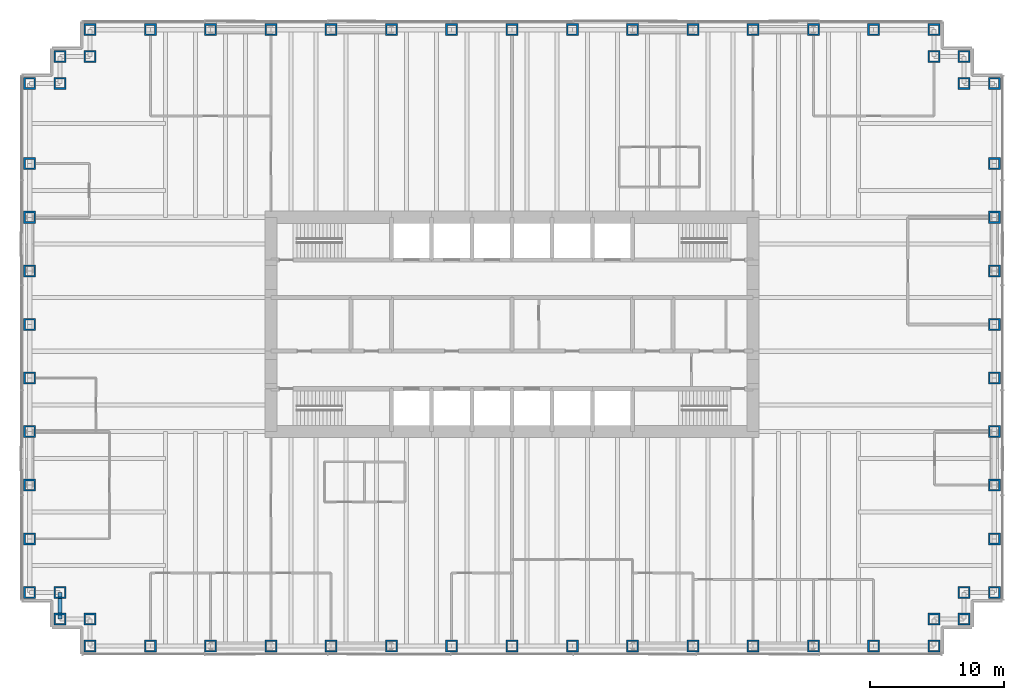
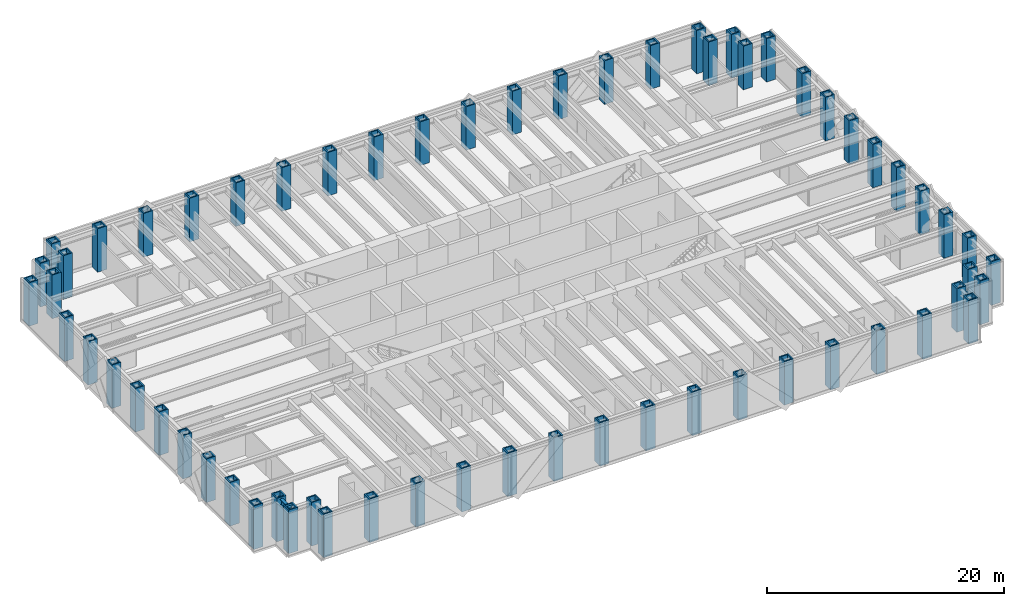
# One storey, part 1 of 13: 62 columns, 1 beam.
"""IFC4 building model written with IfcOpenShell, lengths in metres."""

from ifc_helpers import new_model, si_unit, direction, frame, origin, origin_2d, place, context, subcontext, project, spatial, hollow_rectangle, i_section, extrude, material, material_profile, profile_set, type_object, element, save


model = new_model("IFC4")

# Units and contexts
model_context = context("Model", 3, precision=1e-05, world=origin(), true_north=direction((0.0, 1.0)))
body_context = subcontext(model_context, "Body", "Model", "MODEL_VIEW")
ifc_project = project(units=[si_unit("LENGTHUNIT", "METRE"), si_unit("AREAUNIT", "SQUARE_METRE"), si_unit("VOLUMEUNIT", "CUBIC_METRE"), si_unit("PLANEANGLEUNIT", "RADIAN"), si_unit("MASSUNIT", "GRAM", prefix="KILO")], contexts=[model_context])

# Site, building, storey
site_placement = place(None, origin())
site = spatial("IfcSite", under=ifc_project, at=site_placement, CompositionType="ELEMENT")
building_placement = place(site_placement, origin())
building = spatial("IfcBuilding", under=site, at=building_placement, Name="Rheinbord Bourse Tower", CompositionType="ELEMENT")
storey_placement = place(building_placement, frame((0.0, 0.0, 50.0)))
storey = spatial("IfcBuildingStorey", under=building, at=storey_placement, Name="L10", CompositionType="ELEMENT", Elevation=50.0)

# Columns
ifc_material_1 = material(Name="Steel S460M", Category="steel")
ifc_material_profile_1 = material_profile(ifc_material_1, hollow_rectangle(XDim=0.89990234375, YDim=0.89990234375, WallThickness=0.1201171875, at=origin_2d()), Name="BOX 900x900x120")
ifc_profile_set_1 = profile_set([ifc_material_profile_1], Name="Steel S460M")
column_type = type_object("IfcColumnType", Name="TUBE COLUMN BOX 900x900x120", PredefinedType="COLUMN", material=ifc_profile_set_1)
for number, where, z_axis, x_axis, name in (
    (1, (4.5, 0.0, 0.0), (0.0, 0.0, 1.0), (0.0, 1.0, 0.0), "Column SW-E L10"),
    (2, (9.0, 0.0, 0.0), (0.0, 0.0, 1.0), (0.0, 1.0, 0.0), "Column S-9 L10"),
    (3, (13.5, 0.0, 0.0), (0.0, 0.0, 1.0), (0.0, 1.0, 0.0), "Column S-13.5 L10"),
    (4, (18.0, 0.0, 0.0), (0.0, 0.0, 1.0), (0.0, 1.0, 0.0), "Column S-18 L10"),
    (5, (22.5, 0.0, 0.0), (0.0, 0.0, 1.0), (0.0, 1.0, 0.0), "Column S-22.5 L10"),
    (6, (27.0, 0.0, 0.0), (0.0, 0.0, 1.0), (0.0, 1.0, 0.0), "Column S-27 L10"),
    (7, (31.5, 0.0, 0.0), (0.0, 0.0, 1.0), (0.0, 1.0, 0.0), "Column S-31.5 L10"),
    (8, (36.0, 0.0, 0.0), (0.0, 0.0, 1.0), (0.0, 1.0, 0.0), "Column S-36 L10"),
    (9, (40.5, 0.0, 0.0), (0.0, 0.0, 1.0), (0.0, 1.0, 0.0), "Column S-40.5 L10"),
    (10, (45.0, 0.0, 0.0), (0.0, 0.0, 1.0), (0.0, 1.0, 0.0), "Column S-45 L10"),
    (11, (49.5, 0.0, 0.0), (0.0, 0.0, 1.0), (0.0, 1.0, 0.0), "Column S-49.5 L10"),
    (12, (54.0, 0.0, 0.0), (0.0, 0.0, 1.0), (0.0, 1.0, 0.0), "Column S-54 L10"),
    (13, (58.5, 0.0, 0.0), (0.0, 0.0, 1.0), (0.0, 1.0, 0.0), "Column S-58.5 L10"),
    (14, (63.0, 0.0, 0.0), (0.0, 0.0, 1.0), (0.0, 1.0, 0.0), "Column S-63 L10"),
    (15, (67.5, 0.0, 0.0), (0.0, 0.0, 1.0), (0.0, 1.0, 0.0), "Column SE-E L10"),
    (16, (67.5, 2.0, 0.0), (0.0, 0.0, 1.0), (0.0, 1.0, 0.0), "Column SE-D L10"),
    (17, (69.75, 2.0, 0.0), (0.0, 0.0, 1.0), (1.0, 0.0, 0.0), "Column SE-C L10"),
    (18, (69.75, 4.0, 0.0), (0.0, 0.0, 1.0), (1.0, 0.0, 0.0), "Column SE-B L10"),
    (19, (72.0, 4.0, 0.0), (0.0, 0.0, 1.0), (1.0, 0.0, 0.0), "Column SE-A L10"),
    (20, (72.0, 8.0, 0.0), (0.0, 0.0, 1.0), (1.0, 0.0, 0.0), "Column E-8 L10"),
    (21, (72.0, 12.0, 0.0), (0.0, 0.0, 1.0), (1.0, 0.0, 0.0), "Column E-12 L10"),
    (22, (72.0, 16.0, 0.0), (0.0, 0.0, 1.0), (1.0, 0.0, 0.0), "Column E-16 L10"),
    (23, (72.0, 20.0, 0.0), (0.0, 0.0, 1.0), (1.0, 0.0, 0.0), "Column E-20 L10"),
    (24, (72.0, 24.0, 0.0), (0.0, 0.0, 1.0), (1.0, 0.0, 0.0), "Column E-24 L10"),
    (25, (72.0, 28.0, 0.0), (0.0, 0.0, 1.0), (1.0, 0.0, 0.0), "Column E-28 L10"),
    (26, (72.0, 32.0, 0.0), (0.0, 0.0, 1.0), (1.0, 0.0, 0.0), "Column E-32 L10"),
    (27, (72.0, 36.0, 0.0), (0.0, 0.0, 1.0), (1.0, 0.0, 0.0), "Column E-36 L10"),
    (28, (72.0, 42.0, 0.0), (0.0, 0.0, 1.0), (1.0, 0.0, 0.0), "Column NE-A L10"),
    (29, (69.75, 42.0, 0.0), (0.0, 0.0, 1.0), (1.0, 0.0, 0.0), "Column NE-B L10"),
    (30, (69.75, 44.0, 0.0), (0.0, 0.0, 1.0), (1.0, 0.0, 0.0), "Column NE-C L10"),
    (31, (67.5, 44.0, 0.0), (0.0, 0.0, 1.0), (0.0, 1.0, 0.0), "Column NE-D L10"),
    (32, (67.5, 46.0, 0.0), (0.0, 0.0, 1.0), (0.0, 1.0, 0.0), "Column NE-E L10"),
    (33, (63.0, 46.0, 0.0), (0.0, 0.0, 1.0), (0.0, 1.0, 0.0), "Column N-63 L10"),
    (34, (58.5, 46.0, 0.0), (0.0, 0.0, 1.0), (0.0, 1.0, 0.0), "Column N-58.5 L10"),
    (35, (54.0, 46.0, 0.0), (0.0, 0.0, 1.0), (0.0, 1.0, 0.0), "Column N-54 L10"),
    (36, (49.5, 46.0, 0.0), (0.0, 0.0, 1.0), (0.0, 1.0, 0.0), "Column N-49.5 L10"),
    (37, (45.0, 46.0, 0.0), (0.0, 0.0, 1.0), (0.0, 1.0, 0.0), "Column N-45 L10"),
    (38, (40.5, 46.0, 0.0), (0.0, 0.0, 1.0), (0.0, 1.0, 0.0), "Column N-40.5 L10"),
    (39, (36.0, 46.0, 0.0), (0.0, 0.0, 1.0), (0.0, 1.0, 0.0), "Column N-36 L10"),
    (40, (31.5, 46.0, 0.0), (0.0, 0.0, 1.0), (0.0, 1.0, 0.0), "Column N-31.5 L10"),
    (41, (27.0, 46.0, 0.0), (0.0, 0.0, 1.0), (0.0, 1.0, 0.0), "Column N-27 L10"),
    (42, (22.5, 46.0, 0.0), (0.0, 0.0, 1.0), (0.0, 1.0, 0.0), "Column N-22.5 L10"),
    (43, (18.0, 46.0, 0.0), (0.0, 0.0, 1.0), (0.0, 1.0, 0.0), "Column N-18 L10"),
    (44, (13.5, 46.0, 0.0), (0.0, 0.0, 1.0), (0.0, 1.0, 0.0), "Column N-13.5 L10"),
    (45, (9.0, 46.0, 0.0), (0.0, 0.0, 1.0), (0.0, 1.0, 0.0), "Column N-9 L10"),
    (46, (4.5, 46.0, 0.0), (0.0, 0.0, 1.0), (0.0, 1.0, 0.0), "Column NW-E L10"),
    (47, (4.5, 44.0, 0.0), (0.0, 0.0, 1.0), (0.0, 1.0, 0.0), "Column NW-D L10"),
    (48, (2.25, 44.0, 0.0), (0.0, 0.0, 1.0), (1.0, 0.0, 0.0), "Column NW-C L10"),
    (49, (2.25, 42.0, 0.0), (0.0, 0.0, 1.0), (1.0, 0.0, 0.0), "Column NW-B L10"),
    (50, (0.0, 42.0, 0.0), (0.0, 0.0, 1.0), (1.0, 0.0, 0.0), "Column NW-A L10"),
    (51, (0.0, 36.0, 0.0), (0.0, 0.0, 1.0), (1.0, 0.0, 0.0), "Column W-36 L10"),
    (52, (0.0, 32.0, 0.0), (0.0, 0.0, 1.0), (1.0, 0.0, 0.0), "Column W-32 L10"),
    (53, (0.0, 28.0, 0.0), (0.0, 0.0, 1.0), (1.0, 0.0, 0.0), "Column W-28 L10"),
    (54, (0.0, 24.0, 0.0), (0.0, 0.0, 1.0), (1.0, 0.0, 0.0), "Column W-24 L10"),
    (55, (0.0, 20.0, 0.0), (0.0, 0.0, 1.0), (1.0, 0.0, 0.0), "Column W-20 L10"),
    (56, (0.0, 16.0, 0.0), (0.0, 0.0, 1.0), (1.0, 0.0, 0.0), "Column W-16 L10"),
    (57, (0.0, 12.0, 0.0), (0.0, 0.0, 1.0), (1.0, 0.0, 0.0), "Column W-12 L10"),
    (58, (0.0, 8.0, 0.0), (0.0, 0.0, 1.0), (1.0, 0.0, 0.0), "Column W-8 L10"),
    (59, (0.0, 4.0, 0.0), (0.0, 0.0, 1.0), (1.0, 0.0, 0.0), "Column SW-A L10"),
    (60, (2.25, 4.0, 0.0), (0.0, 0.0, 1.0), (1.0, 0.0, 0.0), "Column SW-B L10"),
    (61, (2.25, 2.0, 0.0), (0.0, 0.0, 1.0), (1.0, 0.0, 0.0), "Column SW-C L10"),
    (62, (4.5, 2.0, 0.0), (0.0, 0.0, 1.0), (0.0, 1.0, 0.0), "Column SW-D L10"),
):
    element("IfcColumn", number, at=place(storey_placement, frame(where, z_axis=z_axis, x_axis=x_axis)), inside=storey, type_object=column_type, Name=name, PredefinedType="COLUMN", context=body_context, shape_type="SweptSolid", body=[
        extrude(hollow_rectangle(XDim=0.89990234375, YDim=0.89990234375, WallThickness=0.1201171875, at=origin_2d()), origin(), (0.0, 0.0, 1.0), 4.5),
    ])

# Beam
ifc_material_2 = material(Name="Steel S460", Category="steel")
ifc_material_profile_2 = material_profile(ifc_material_2, i_section(OverallWidth=0.304931640625, OverallDepth=0.6201171875, WebThickness=0.02099609375, FlangeThickness=0.0400390625, at=origin_2d()), Name="HEM 600")
ifc_profile_set_2 = profile_set([ifc_material_profile_2], Name="Steel S460")
beam_type = type_object("IfcBeamType", Name="SPANDREL HEM 600", PredefinedType="SPANDREL", material=ifc_profile_set_2)
beam_placement = place(storey_placement, frame((2.25, 4.0, 4.010009765625), z_axis=(0.0, -1.0, 0.0), x_axis=(1.0, 0.0, 0.0)))
element("IfcBeam", 63, at=beam_placement, inside=storey, type_object=beam_type, Name="Spandrel SW-B-SW-C under L11", PredefinedType="SPANDREL", context=body_context, shape_type="SweptSolid", body=[
    extrude(i_section(OverallWidth=0.304931640625, OverallDepth=0.6201171875, WebThickness=0.02099609375, FlangeThickness=0.0400390625, at=origin_2d()), origin(), (0.0, 0.0, 1.0), 2.0),
])

save(model, "model.ifc")
